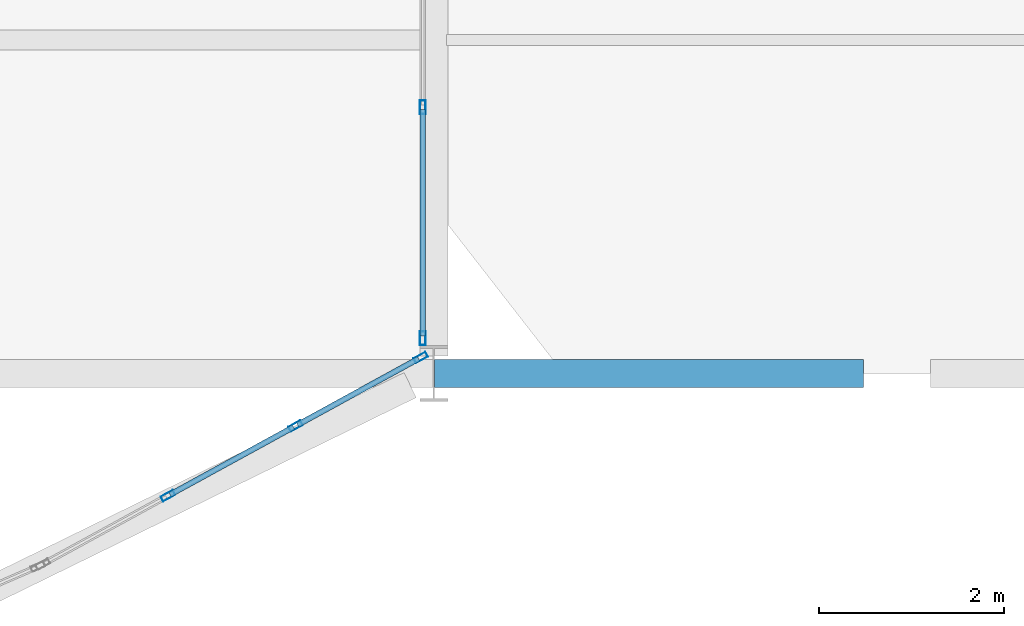
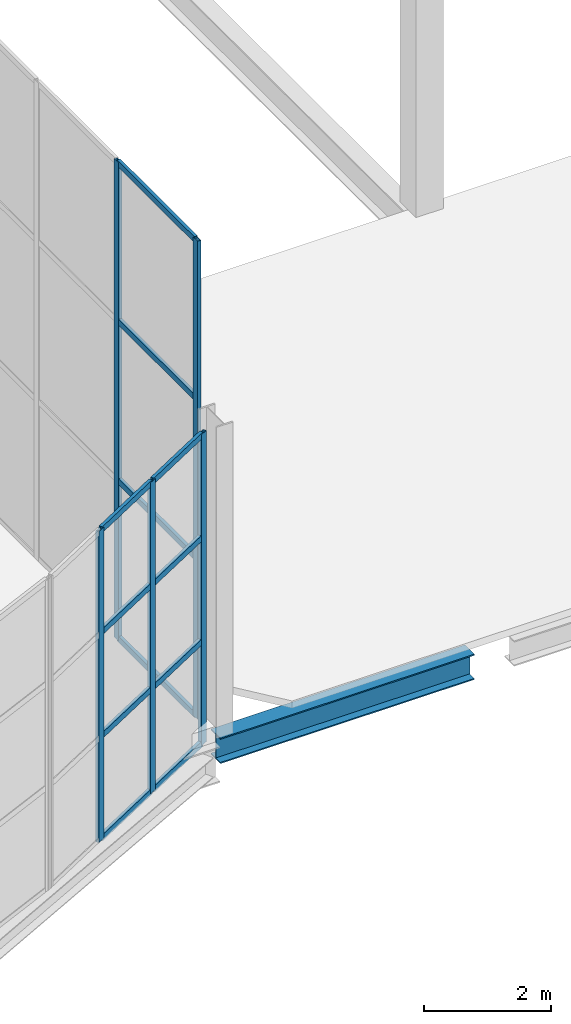
# One storey, part 50 of 191: 17 members, 1 beam, 2 elements without a shape of their own.
"""IFC4 building model written with IfcOpenShell, lengths in metres."""

from ifc_helpers import new_model, si_unit, direction, frame, origin, origin_2d, place, context, subcontext, project, spatial, hollow_rectangle, i_section, extrude, material, layer, layer_set, material_profile, profile_set, type_object, element, aggregate, save


model = new_model("IFC4")

# Units and contexts
model_context = context("Model", 3, precision=1e-05, world=origin(), true_north=direction((0.0, 1.0)))
body_context = subcontext(model_context, "Body", "Model", "MODEL_VIEW")
ifc_project = project(units=[si_unit("LENGTHUNIT", "METRE"), si_unit("AREAUNIT", "SQUARE_METRE"), si_unit("VOLUMEUNIT", "CUBIC_METRE"), si_unit("PLANEANGLEUNIT", "RADIAN"), si_unit("MASSUNIT", "GRAM", prefix="KILO")], contexts=[model_context])

# Site, building, storey
site_placement = place(None, origin())
site = spatial("IfcSite", under=ifc_project, at=site_placement, CompositionType="ELEMENT")
building_placement = place(site_placement, origin())
building = spatial("IfcBuilding", under=site, at=building_placement, Name="Tamarisk Ironworks Central Station", CompositionType="ELEMENT")
storey_placement = place(building_placement, frame((0.0, 0.0, 6.60009765625)))
storey = spatial("IfcBuildingStorey", under=building, at=storey_placement, Name="L01", CompositionType="ELEMENT", Elevation=6.60009765625)

# Beam
ifc_material_1 = material(Name="Structural steel S355J2", Category="steel")
ifc_material_profile_1 = material_profile(ifc_material_1, i_section(OverallWidth=0.300048828125, OverallDepth=0.489990234375, WebThickness=0.011962890625, FlangeThickness=0.02294921875, at=origin_2d()), Name="HEA 500")
ifc_profile_set_1 = profile_set([ifc_material_profile_1], Name="Structural steel S355J2")
beam_type = type_object("IfcBeamType", Name="BM-G05", PredefinedType="BEAM", material=ifc_profile_set_1)
beam_placement = place(storey_placement, frame((108.00390625, 10.800048828125, -0.385009765625), z_axis=(1.0, 0.0, 0.0), x_axis=(0.0, 1.0, 0.0)))
element("IfcBeam", 1, at=beam_placement, inside=storey, type_object=beam_type, Name="L01 primary girder X-0020", PredefinedType="BEAM", context=body_context, shape_type="SweptSolid", body=[
    extrude(i_section(OverallWidth=0.300048828125, OverallDepth=0.489990234375, WebThickness=0.011962890625, FlangeThickness=0.02294921875, at=origin_2d()), origin(), (0.0, 0.0, 1.0), 4.633056640625),
])

# Curtain wall, members
ifc_material_2 = material(Name="Anodized aluminium alloy 6063-T6", Category="aluminium")
ifc_layer_1 = layer(ifc_material_2, 0.179931640625)
ifc_layer_set_1 = layer_set([ifc_layer_1], Name="Anodized aluminium alloy 6063-T6")
curtain_wall_type_1 = type_object("IfcCurtainWallType", Name="CW-02", PredefinedType="USERDEFINED", material=ifc_layer_set_1)
curtain_wall_1_placement = place(storey_placement, origin())
curtain_wall_1 = element("IfcCurtainWall", 2, at=curtain_wall_1_placement, inside=storey, type_object=curtain_wall_type_1, Name="SN rounded entrance hall L01 curtain wall bay 12", ObjectType="GLAZED CURTAIN WALL", PredefinedType="USERDEFINED")
ifc_material_profile_2 = material_profile(ifc_material_2, hollow_rectangle(XDim=0.06005859375, YDim=0.14990234375, WallThickness=0.00341796875, at=origin_2d()), Name="ALUM 150x60")
ifc_profile_set_2 = profile_set([ifc_material_profile_2], Name="Anodized aluminium alloy 6063-T6")
member_type_1 = type_object("IfcMemberType", Name="CWM-03", PredefinedType="MULLION", material=ifc_profile_set_2)
member_1_placement = place(storey_placement, frame((105.129638671875, 9.480712890625, -0.385009765625), z_axis=(0.0, 0.0, 1.0), x_axis=(-0.47980544644, 0.877374910495, 0.0)))
member_1 = element("IfcMember", 3, at=member_1_placement, type_object=member_type_1, Name="CW02 mullion 2", PredefinedType="MULLION", context=body_context, shape_type="SweptSolid", body=[
    extrude(hollow_rectangle(XDim=0.06005859375, YDim=0.14990234375, WallThickness=0.00341796875, at=origin_2d()), origin(), (0.0, 0.0, 1.0), 6.0048828125),
])
member_2_placement = place(storey_placement, frame((106.5068359375, 10.23388671875, -0.385009765625), z_axis=(0.0, 0.0, 1.0), x_axis=(-0.47980544644, 0.877374910495, 0.0)))
member_2 = element("IfcMember", 4, at=member_2_placement, type_object=member_type_1, Name="CW02 mullion 3", PredefinedType="MULLION", context=body_context, shape_type="SweptSolid", body=[
    extrude(hollow_rectangle(XDim=0.06005859375, YDim=0.14990234375, WallThickness=0.00341796875, at=origin_2d()), origin(), (0.0, 0.0, 1.0), 6.0048828125),
])
member_3_placement = place(storey_placement, frame((107.85791015625, 10.97265625, -0.385009765625), z_axis=(0.0, 0.0, 1.0), x_axis=(-0.47980544644, 0.877374910495, 0.0)))
member_3 = element("IfcMember", 5, at=member_3_placement, type_object=member_type_1, Name="CW02 mullion 4", PredefinedType="MULLION", context=body_context, shape_type="SweptSolid", body=[
    extrude(hollow_rectangle(XDim=0.06005859375, YDim=0.14990234375, WallThickness=0.00341796875, at=origin_2d()), origin(), (0.0, 0.0, 1.0), 6.0048828125),
])

ifc_layer_2 = layer(ifc_material_2, 0.179931640625)
ifc_layer_set_2 = layer_set([ifc_layer_2], Name="Anodized aluminium alloy 6063-T6")
curtain_wall_type_2 = type_object("IfcCurtainWallType", Name="CW-05", PredefinedType="USERDEFINED", material=ifc_layer_set_2)
curtain_wall_2_placement = place(storey_placement, origin())
curtain_wall_2 = element("IfcCurtainWall", 6, at=curtain_wall_2_placement, inside=storey, type_object=curtain_wall_type_2, Name="Concourse E track-overlook curtain wall 01", ObjectType="GLAZED CURTAIN WALL", PredefinedType="USERDEFINED")
member_4_placement = place(storey_placement, frame((107.8798828125, 11.179931640625, 0.0), z_axis=(0.0, 0.0, 1.0), x_axis=(-1.0, 0.0, 0.0)))
member_4 = element("IfcMember", 7, at=member_4_placement, type_object=member_type_1, Name="CW05 mullion 1", PredefinedType="MULLION", context=body_context, shape_type="SweptSolid", body=[
    extrude(hollow_rectangle(XDim=0.06005859375, YDim=0.14990234375, WallThickness=0.00341796875, at=origin_2d()), origin(), (0.0, 0.0, 1.0), 9.219970703125),
])
member_5_placement = place(storey_placement, frame((107.8798828125, 13.675048828125, 0.0), z_axis=(0.0, 0.0, 1.0), x_axis=(-1.0, 0.0, 0.0)))
member_5 = element("IfcMember", 8, at=member_5_placement, type_object=member_type_1, Name="CW05 mullion 2", PredefinedType="MULLION", context=body_context, shape_type="SweptSolid", body=[
    extrude(hollow_rectangle(XDim=0.06005859375, YDim=0.14990234375, WallThickness=0.00341796875, at=origin_2d()), origin(), (0.0, 0.0, 1.0), 9.219970703125),
])

# Member
ifc_material_profile_3 = material_profile(ifc_material_2, hollow_rectangle(XDim=0.06005859375, YDim=0.114990234375, WallThickness=0.00341796875, at=origin_2d()), Name="ALUM 115x60")
ifc_profile_set_3 = profile_set([ifc_material_profile_3], Name="Anodized aluminium alloy 6063-T6")
member_type_2 = type_object("IfcMemberType", Name="CWT-03", PredefinedType="USERDEFINED", material=ifc_profile_set_3)
member_6_placement = place(storey_placement, frame((105.15234375, 9.4931640625, -0.35498046875), z_axis=(0.877384892702, 0.479787192471, 0.0), x_axis=(-0.479787192471, 0.877384892702, 0.0)))
member_6 = element("IfcMember", 9, at=member_6_placement, type_object=member_type_2, Name="CW02 transom 2.1", ObjectType="TRANSOM", PredefinedType="USERDEFINED", context=body_context, shape_type="SweptSolid", body=[
    extrude(hollow_rectangle(XDim=0.06005859375, YDim=0.114990234375, WallThickness=0.00341796875, at=origin_2d()), origin(), (0.0, 0.0, 1.0), 1.517822265625),
])

member_7_placement = place(storey_placement, frame((105.15234375, 9.4931640625, 1.61669921875), z_axis=(0.877384892702, 0.479787192471, 0.0), x_axis=(-0.479787192471, 0.877384892702, 0.0)))
member_7 = element("IfcMember", 10, at=member_7_placement, type_object=member_type_2, Name="CW02 transom 2.2", ObjectType="TRANSOM", PredefinedType="USERDEFINED", context=body_context, shape_type="SweptSolid", body=[
    extrude(hollow_rectangle(XDim=0.06005859375, YDim=0.114990234375, WallThickness=0.00341796875, at=origin_2d()), origin(), (0.0, 0.0, 1.0), 1.517822265625),
])

member_8_placement = place(storey_placement, frame((105.15234375, 9.4931640625, 3.6181640625), z_axis=(0.877384892702, 0.479787192471, 0.0), x_axis=(-0.479787192471, 0.877384892702, 0.0)))
member_8 = element("IfcMember", 11, at=member_8_placement, type_object=member_type_2, Name="CW02 transom 2.3", ObjectType="TRANSOM", PredefinedType="USERDEFINED", context=body_context, shape_type="SweptSolid", body=[
    extrude(hollow_rectangle(XDim=0.06005859375, YDim=0.114990234375, WallThickness=0.00341796875, at=origin_2d()), origin(), (0.0, 0.0, 1.0), 1.517822265625),
])

member_9_placement = place(storey_placement, frame((105.15234375, 9.4931640625, 5.58984375), z_axis=(0.877384892702, 0.479787192471, 0.0), x_axis=(-0.479787192471, 0.877384892702, 0.0)))
member_9 = element("IfcMember", 12, at=member_9_placement, type_object=member_type_2, Name="CW02 transom 2.4", ObjectType="TRANSOM", PredefinedType="USERDEFINED", context=body_context, shape_type="SweptSolid", body=[
    extrude(hollow_rectangle(XDim=0.06005859375, YDim=0.114990234375, WallThickness=0.00341796875, at=origin_2d()), origin(), (0.0, 0.0, 1.0), 1.517822265625),
])

member_10_placement = place(storey_placement, frame((106.52978515625, 10.246337890625, -0.35498046875), z_axis=(0.877380853309, 0.479794579217, 0.0), x_axis=(-0.479794579217, 0.877380853309, 0.0)))
member_10 = element("IfcMember", 13, at=member_10_placement, type_object=member_type_2, Name="CW02 transom 3.1", ObjectType="TRANSOM", PredefinedType="USERDEFINED", context=body_context, shape_type="SweptSolid", body=[
    extrude(hollow_rectangle(XDim=0.06005859375, YDim=0.114990234375, WallThickness=0.00341796875, at=origin_2d()), origin(), (0.0, 0.0, 1.0), 1.48779296875),
])

member_11_placement = place(storey_placement, frame((106.52978515625, 10.246337890625, 1.61669921875), z_axis=(0.877380853309, 0.479794579217, 0.0), x_axis=(-0.479794579217, 0.877380853309, 0.0)))
member_11 = element("IfcMember", 14, at=member_11_placement, type_object=member_type_2, Name="CW02 transom 3.2", ObjectType="TRANSOM", PredefinedType="USERDEFINED", context=body_context, shape_type="SweptSolid", body=[
    extrude(hollow_rectangle(XDim=0.06005859375, YDim=0.114990234375, WallThickness=0.00341796875, at=origin_2d()), origin(), (0.0, 0.0, 1.0), 1.48779296875),
])

member_12_placement = place(storey_placement, frame((106.52978515625, 10.246337890625, 3.6181640625), z_axis=(0.877380853309, 0.479794579217, 0.0), x_axis=(-0.479794579217, 0.877380853309, 0.0)))
member_12 = element("IfcMember", 15, at=member_12_placement, type_object=member_type_2, Name="CW02 transom 3.3", ObjectType="TRANSOM", PredefinedType="USERDEFINED", context=body_context, shape_type="SweptSolid", body=[
    extrude(hollow_rectangle(XDim=0.06005859375, YDim=0.114990234375, WallThickness=0.00341796875, at=origin_2d()), origin(), (0.0, 0.0, 1.0), 1.48779296875),
])

member_13_placement = place(storey_placement, frame((106.52978515625, 10.246337890625, 5.58984375), z_axis=(0.877380853309, 0.479794579217, 0.0), x_axis=(-0.479794579217, 0.877380853309, 0.0)))
member_13 = element("IfcMember", 16, at=member_13_placement, type_object=member_type_2, Name="CW02 transom 3.4", ObjectType="TRANSOM", PredefinedType="USERDEFINED", context=body_context, shape_type="SweptSolid", body=[
    extrude(hollow_rectangle(XDim=0.06005859375, YDim=0.114990234375, WallThickness=0.00341796875, at=origin_2d()), origin(), (0.0, 0.0, 1.0), 1.48779296875),
])

aggregate(curtain_wall_1, [member_1, member_2, member_3, member_6, member_7, member_8, member_9, member_10, member_11, member_12, member_13])

member_14_placement = place(storey_placement, frame((107.8798828125, 11.2060546875, 0.02978515625), z_axis=(0.0, 1.0, 0.0), x_axis=(-1.0, 0.0, 0.0)))
member_14 = element("IfcMember", 17, at=member_14_placement, type_object=member_type_2, Name="CW05 transom 1.1", ObjectType="TRANSOM", PredefinedType="USERDEFINED", context=body_context, shape_type="SweptSolid", body=[
    extrude(hollow_rectangle(XDim=0.06005859375, YDim=0.114990234375, WallThickness=0.00341796875, at=origin_2d()), origin(), (0.0, 0.0, 1.0), 2.44287109375),
])

member_15_placement = place(storey_placement, frame((107.8798828125, 11.2060546875, 3.0732421875), z_axis=(0.0, 1.0, 0.0), x_axis=(-1.0, 0.0, 0.0)))
member_15 = element("IfcMember", 18, at=member_15_placement, type_object=member_type_2, Name="CW05 transom 1.2", ObjectType="TRANSOM", PredefinedType="USERDEFINED", context=body_context, shape_type="SweptSolid", body=[
    extrude(hollow_rectangle(XDim=0.06005859375, YDim=0.114990234375, WallThickness=0.00341796875, at=origin_2d()), origin(), (0.0, 0.0, 1.0), 2.44287109375),
])

member_16_placement = place(storey_placement, frame((107.8798828125, 11.2060546875, 6.146484375), z_axis=(0.0, 1.0, 0.0), x_axis=(-1.0, 0.0, 0.0)))
member_16 = element("IfcMember", 19, at=member_16_placement, type_object=member_type_2, Name="CW05 transom 1.3", ObjectType="TRANSOM", PredefinedType="USERDEFINED", context=body_context, shape_type="SweptSolid", body=[
    extrude(hollow_rectangle(XDim=0.06005859375, YDim=0.114990234375, WallThickness=0.00341796875, at=origin_2d()), origin(), (0.0, 0.0, 1.0), 2.44287109375),
])

member_17_placement = place(storey_placement, frame((107.8798828125, 11.2060546875, 9.18994140625), z_axis=(0.0, 1.0, 0.0), x_axis=(-1.0, 0.0, 0.0)))
member_17 = element("IfcMember", 20, at=member_17_placement, type_object=member_type_2, Name="CW05 transom 1.4", ObjectType="TRANSOM", PredefinedType="USERDEFINED", context=body_context, shape_type="SweptSolid", body=[
    extrude(hollow_rectangle(XDim=0.06005859375, YDim=0.114990234375, WallThickness=0.00341796875, at=origin_2d()), origin(), (0.0, 0.0, 1.0), 2.44287109375),
])

aggregate(curtain_wall_2, [member_4, member_5, member_14, member_15, member_16, member_17])

save(model, "model.ifc")
